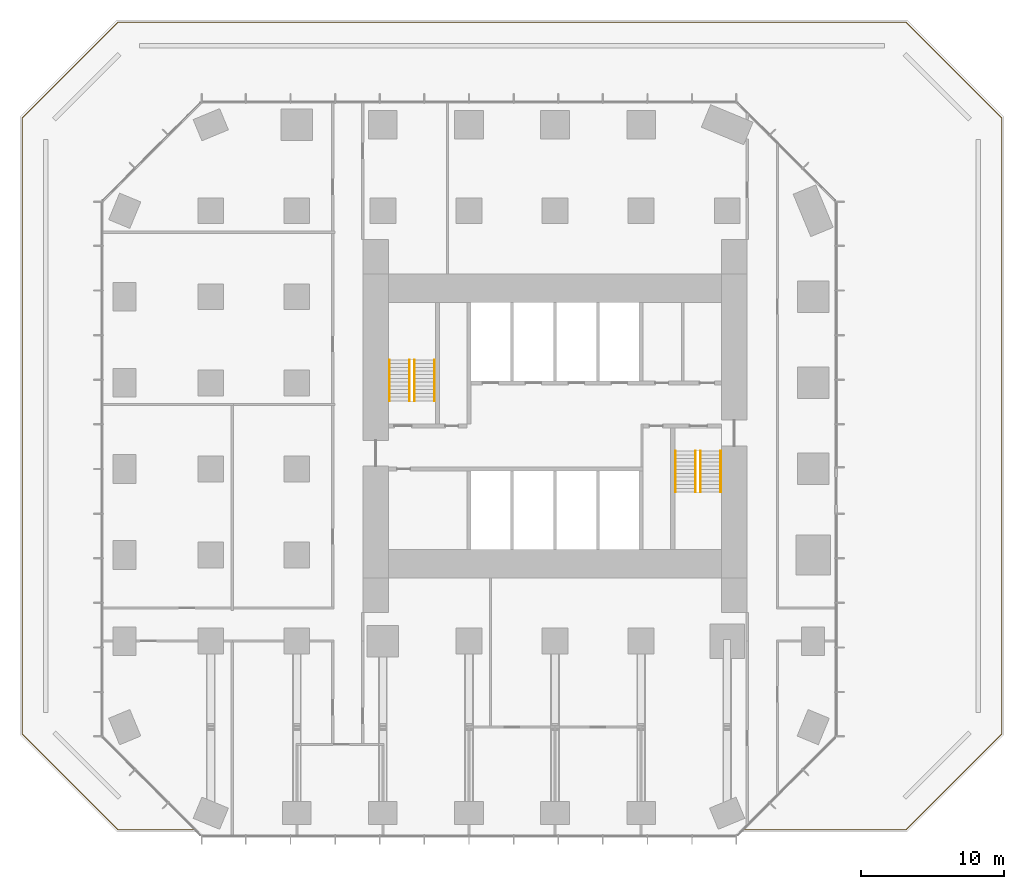
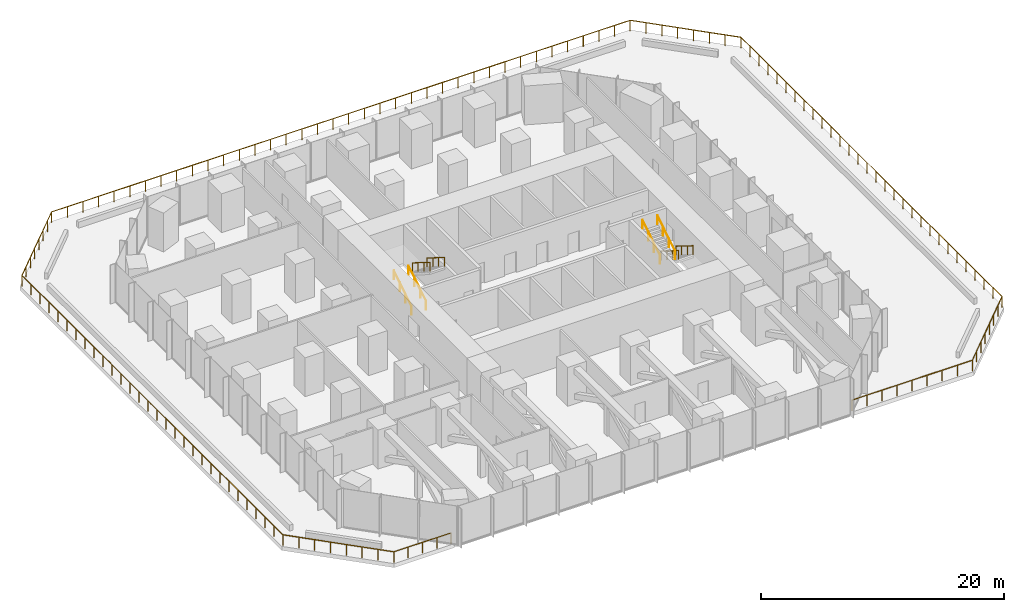
# One storey, part 11 of 11: 9 railings.
"""IFC4 building model written with IfcOpenShell, lengths in metres."""

from ifc_helpers import new_model, si_unit, direction, frame, origin, origin_2d, place, context, subcontext, project, spatial, circle, extrude, material, type_object, element, save


model = new_model("IFC4")

# Units and contexts
model_context = context("Model", 3, precision=1e-05, world=origin(), true_north=direction((0.0, 1.0)))
body_context = subcontext(model_context, "Body", "Model", "MODEL_VIEW")
ifc_project = project(units=[si_unit("LENGTHUNIT", "METRE"), si_unit("AREAUNIT", "SQUARE_METRE"), si_unit("VOLUMEUNIT", "CUBIC_METRE"), si_unit("PLANEANGLEUNIT", "RADIAN"), si_unit("MASSUNIT", "GRAM", prefix="KILO")], contexts=[model_context])

# Site, building, storey
site_placement = place(None, origin())
site = spatial("IfcSite", under=ifc_project, at=site_placement, CompositionType="ELEMENT")
building_placement = place(site_placement, origin())
building = spatial("IfcBuilding", under=site, at=building_placement, Name="Highveld Stack Headquarters", CompositionType="ELEMENT")
storey_placement = place(building_placement, frame((0.0, 0.0, 18.199951171875)))
storey = spatial("IfcBuildingStorey", under=building, at=storey_placement, Name="L03", CompositionType="ELEMENT", Elevation=18.199951171875)

# Railings
ifc_material_1 = material(Name="Stainless steel handrail", Category="steel")
railing_type_1 = type_object("IfcRailingType", Name="STAIR HANDRAIL HR1 900", PredefinedType="HANDRAIL", material=ifc_material_1)
for number, where, name in (
    (1, (-5.550048828125, 4.75, 0.16259765625), "Handrail S1 L03 flight 1"),
    (2, (-4.14990234375, 4.75, 0.16259765625), "Handrail S1 L03 flight 1"),
):
    element("IfcRailing", number, at=place(storey_placement, frame(where)), inside=storey, type_object=railing_type_1, Name=name, PredefinedType="HANDRAIL", context=body_context, shape_type="SweptSolid", body=[
        extrude(circle(Radius=0.02392578125, at=origin_2d()), frame((0.0, 0.0, 0.8759765625), z_axis=(0.0, 0.848026770018, 0.529953391661), x_axis=(-1.0, 0.0, 0.0)), (0.0, 0.0, 1.0), 3.37255859375),
        extrude(circle(Radius=0.02099609375, at=origin_2d()), origin(), (0.0, 0.0, 1.0), 0.851806640625),
        extrude(circle(Radius=0.02099609375, at=origin_2d()), frame((0.0, 0.953369140625, 0.595703125)), (0.0, 0.0, 1.0), 0.851806640625),
        extrude(circle(Radius=0.02099609375, at=origin_2d()), frame((0.0, 1.90673828125, 1.191650390625)), (0.0, 0.0, 1.0), 0.851806640625),
        extrude(circle(Radius=0.02099609375, at=origin_2d()), frame((0.0, 2.860107421875, 1.787353515625)), (0.0, 0.0, 1.0), 0.851806640625),
    ])
for number, where, name in (
    (3, (-3.800048828125, 7.610107421875, 2.112548828125), "Handrail S1 L03 flight 2"),
    (4, (-2.39990234375, 7.610107421875, 2.112548828125), "Handrail S1 L03 flight 2"),
):
    element("IfcRailing", number, at=place(storey_placement, frame(where)), inside=storey, type_object=railing_type_1, Name=name, PredefinedType="HANDRAIL", context=body_context, shape_type="SweptSolid", body=[
        extrude(circle(Radius=0.02392578125, at=origin_2d()), frame((0.0, 0.0, 0.8759765625), z_axis=(0.0, -0.847994237388, 0.530005446535), x_axis=(1.0, 0.0, 0.0)), (0.0, 0.0, 1.0), 3.372802734375),
        extrude(circle(Radius=0.02099609375, at=origin_2d()), origin(), (0.0, 0.0, 1.0), 0.851806640625),
        extrude(circle(Radius=0.02099609375, at=origin_2d()), frame((0.0, -0.953369140625, 0.595947265625)), (0.0, 0.0, 1.0), 0.851806640625),
        extrude(circle(Radius=0.02099609375, at=origin_2d()), frame((0.0, -1.90673828125, 1.191650390625)), (0.0, 0.0, 1.0), 0.851806640625),
        extrude(circle(Radius=0.02099609375, at=origin_2d()), frame((0.0, -2.860107421875, 1.78759765625)), (0.0, 0.0, 1.0), 0.851806640625),
    ])
for number, where, name in (
    (5, (16.14990234375, 1.25, 0.16259765625), "Handrail S2 L03 flight 1"),
    (6, (17.550048828125, 1.25, 0.16259765625), "Handrail S2 L03 flight 1"),
):
    element("IfcRailing", number, at=place(storey_placement, frame(where)), inside=storey, type_object=railing_type_1, Name=name, PredefinedType="HANDRAIL", context=body_context, shape_type="SweptSolid", body=[
        extrude(circle(Radius=0.02392578125, at=origin_2d()), frame((0.0, 0.0, 0.8759765625), z_axis=(0.0, -0.848026770018, 0.529953391661), x_axis=(1.0, 0.0, 0.0)), (0.0, 0.0, 1.0), 3.37255859375),
        extrude(circle(Radius=0.02099609375, at=origin_2d()), origin(), (0.0, 0.0, 1.0), 0.851806640625),
        extrude(circle(Radius=0.02099609375, at=origin_2d()), frame((0.0, -0.953369140625, 0.595703125)), (0.0, 0.0, 1.0), 0.851806640625),
        extrude(circle(Radius=0.02099609375, at=origin_2d()), frame((0.0, -1.90673828125, 1.191650390625)), (0.0, 0.0, 1.0), 0.851806640625),
        extrude(circle(Radius=0.02099609375, at=origin_2d()), frame((0.0, -2.860107421875, 1.787353515625)), (0.0, 0.0, 1.0), 0.851806640625),
    ])
for number, where, name in (
    (7, (14.39990234375, -1.610107421875, 2.112548828125), "Handrail S2 L03 flight 2"),
    (8, (15.800048828125, -1.610107421875, 2.112548828125), "Handrail S2 L03 flight 2"),
):
    element("IfcRailing", number, at=place(storey_placement, frame(where)), inside=storey, type_object=railing_type_1, Name=name, PredefinedType="HANDRAIL", context=body_context, shape_type="SweptSolid", body=[
        extrude(circle(Radius=0.02392578125, at=origin_2d()), frame((0.0, 0.0, 0.8759765625), z_axis=(0.0, 0.847994237388, 0.530005446535), x_axis=(-1.0, 0.0, 0.0)), (0.0, 0.0, 1.0), 3.372802734375),
        extrude(circle(Radius=0.02099609375, at=origin_2d()), origin(), (0.0, 0.0, 1.0), 0.851806640625),
        extrude(circle(Radius=0.02099609375, at=origin_2d()), frame((0.0, 0.953369140625, 0.595947265625)), (0.0, 0.0, 1.0), 0.851806640625),
        extrude(circle(Radius=0.02099609375, at=origin_2d()), frame((0.0, 1.90673828125, 1.191650390625)), (0.0, 0.0, 1.0), 0.851806640625),
        extrude(circle(Radius=0.02099609375, at=origin_2d()), frame((0.0, 2.860107421875, 1.78759765625)), (0.0, 0.0, 1.0), 0.851806640625),
    ])
ifc_material_2 = material(Name="Laminated glass balustrade with bronze handrail", Category="glass")
railing_type_2 = type_object("IfcRailingType", Name="TERRACE GUARD GR1 1100 GLASS", PredefinedType="GUARDRAIL", material=ifc_material_2)
railing_placement = place(storey_placement, frame((-19.033447265625, -25.14990234375, 0.0)))
element("IfcRailing", 9, at=railing_placement, inside=storey, type_object=railing_type_2, Name="Terrace guard L03 1", PredefinedType="GUARDRAIL", context=body_context, shape_type="SweptSolid", body=[
    extrude(circle(Radius=0.02392578125, at=origin_2d()), frame((0.0, 0.0, 1.076171875), z_axis=(-1.0, 0.0, 0.0), x_axis=(0.0, -1.0, 0.0)), (0.0, 0.0, 1.0), 5.44287109375),
    extrude(circle(Radius=0.02392578125, at=origin_2d()), frame((-5.44287109375, 0.0, 1.076171875), z_axis=(-0.707106781187, 0.707106781187, 0.0), x_axis=(-0.707106781187, -0.707106781187, 0.0)), (0.0, 0.0, 1.0), 9.43798828125),
    extrude(circle(Radius=0.02392578125, at=origin_2d()), frame((-12.116455078125, 6.673583984375, 1.076171875), z_axis=(0.0, 1.0, 0.0), x_axis=(-1.0, 0.0, 0.0)), (0.0, 0.0, 1.0), 42.95263671875),
    extrude(circle(Radius=0.02392578125, at=origin_2d()), frame((-12.116455078125, 49.626220703125, 1.076171875), z_axis=(0.707106781187, 0.707106781187, 0.0), x_axis=(-0.707106781187, 0.707106781187, 0.0)), (0.0, 0.0, 1.0), 9.43798828125),
    extrude(circle(Radius=0.02392578125, at=origin_2d()), frame((-5.44287109375, 56.2998046875, 1.076171875), z_axis=(1.0, 0.0, 0.0), x_axis=(0.0, 1.0, 0.0)), (0.0, 0.0, 1.0), 54.95263671875),
    extrude(circle(Radius=0.02392578125, at=origin_2d()), frame((49.509765625, 56.2998046875, 1.076171875), z_axis=(0.707106781187, -0.707106781187, 0.0), x_axis=(0.707106781187, 0.707106781187, 0.0)), (0.0, 0.0, 1.0), 9.43798828125),
    extrude(circle(Radius=0.02392578125, at=origin_2d()), frame((56.183349609375, 49.626220703125, 1.076171875), z_axis=(0.0, -1.0, 0.0), x_axis=(1.0, 0.0, 0.0)), (0.0, 0.0, 1.0), 42.95263671875),
    extrude(circle(Radius=0.02392578125, at=origin_2d()), frame((56.183349609375, 6.673583984375, 1.076171875), z_axis=(-0.707106781187, -0.707106781187, 0.0), x_axis=(0.707106781187, -0.707106781187, 0.0)), (0.0, 0.0, 1.0), 9.43798828125),
    extrude(circle(Radius=0.02392578125, at=origin_2d()), frame((49.509765625, 0.0, 1.076171875), z_axis=(-1.0, 0.0, 0.0), x_axis=(0.0, -1.0, 0.0)), (0.0, 0.0, 1.0), 11.44287109375),
    extrude(circle(Radius=0.02099609375, at=origin_2d()), origin(), (0.0, 0.0, 1.0), 1.052001953125),
    extrude(circle(Radius=0.02099609375, at=origin_2d()), frame((-1.36083984375, 0.0, 0.0)), (0.0, 0.0, 1.0), 1.052001953125),
    extrude(circle(Radius=0.02099609375, at=origin_2d()), frame((-2.721435546875, 0.0, 0.0)), (0.0, 0.0, 1.0), 1.052001953125),
    extrude(circle(Radius=0.02099609375, at=origin_2d()), frame((-4.08203125, 0.0, 0.0)), (0.0, 0.0, 1.0), 1.052001953125),
    extrude(circle(Radius=0.02099609375, at=origin_2d()), frame((-5.44287109375, 0.0, 0.0)), (0.0, 0.0, 1.0), 1.052001953125),
    extrude(circle(Radius=0.02099609375, at=origin_2d()), frame((-6.396240234375, 0.953369140625, 0.0)), (0.0, 0.0, 1.0), 1.052001953125),
    extrude(circle(Radius=0.02099609375, at=origin_2d()), frame((-7.349609375, 1.90673828125, 0.0)), (0.0, 0.0, 1.0), 1.052001953125),
    extrude(circle(Radius=0.02099609375, at=origin_2d()), frame((-8.302978515625, 2.860107421875, 0.0)), (0.0, 0.0, 1.0), 1.052001953125),
    extrude(circle(Radius=0.02099609375, at=origin_2d()), frame((-9.25634765625, 3.8134765625, 0.0)), (0.0, 0.0, 1.0), 1.052001953125),
    extrude(circle(Radius=0.02099609375, at=origin_2d()), frame((-10.209716796875, 4.766845703125, 0.0)), (0.0, 0.0, 1.0), 1.052001953125),
    extrude(circle(Radius=0.02099609375, at=origin_2d()), frame((-11.1630859375, 5.72021484375, 0.0)), (0.0, 0.0, 1.0), 1.052001953125),
    extrude(circle(Radius=0.02099609375, at=origin_2d()), frame((-12.116455078125, 6.673583984375, 0.0)), (0.0, 0.0, 1.0), 1.052001953125),
    extrude(circle(Radius=0.02099609375, at=origin_2d()), frame((-12.116455078125, 8.15478515625, 0.0)), (0.0, 0.0, 1.0), 1.052001953125),
    extrude(circle(Radius=0.02099609375, at=origin_2d()), frame((-12.116455078125, 9.6357421875, 0.0)), (0.0, 0.0, 1.0), 1.052001953125),
    extrude(circle(Radius=0.02099609375, at=origin_2d()), frame((-12.116455078125, 11.116943359375, 0.0)), (0.0, 0.0, 1.0), 1.052001953125),
    extrude(circle(Radius=0.02099609375, at=origin_2d()), frame((-12.116455078125, 12.59814453125, 0.0)), (0.0, 0.0, 1.0), 1.052001953125),
    extrude(circle(Radius=0.02099609375, at=origin_2d()), frame((-12.116455078125, 14.0791015625, 0.0)), (0.0, 0.0, 1.0), 1.052001953125),
    extrude(circle(Radius=0.02099609375, at=origin_2d()), frame((-12.116455078125, 15.560302734375, 0.0)), (0.0, 0.0, 1.0), 1.052001953125),
    extrude(circle(Radius=0.02099609375, at=origin_2d()), frame((-12.116455078125, 17.04150390625, 0.0)), (0.0, 0.0, 1.0), 1.052001953125),
    extrude(circle(Radius=0.02099609375, at=origin_2d()), frame((-12.116455078125, 18.522705078125, 0.0)), (0.0, 0.0, 1.0), 1.052001953125),
    extrude(circle(Radius=0.02099609375, at=origin_2d()), frame((-12.116455078125, 20.003662109375, 0.0)), (0.0, 0.0, 1.0), 1.052001953125),
    extrude(circle(Radius=0.02099609375, at=origin_2d()), frame((-12.116455078125, 21.48486328125, 0.0)), (0.0, 0.0, 1.0), 1.052001953125),
    extrude(circle(Radius=0.02099609375, at=origin_2d()), frame((-12.116455078125, 22.966064453125, 0.0)), (0.0, 0.0, 1.0), 1.052001953125),
    extrude(circle(Radius=0.02099609375, at=origin_2d()), frame((-12.116455078125, 24.447021484375, 0.0)), (0.0, 0.0, 1.0), 1.052001953125),
    extrude(circle(Radius=0.02099609375, at=origin_2d()), frame((-12.116455078125, 25.92822265625, 0.0)), (0.0, 0.0, 1.0), 1.052001953125),
    extrude(circle(Radius=0.02099609375, at=origin_2d()), frame((-12.116455078125, 27.409423828125, 0.0)), (0.0, 0.0, 1.0), 1.052001953125),
    extrude(circle(Radius=0.02099609375, at=origin_2d()), frame((-12.116455078125, 28.890380859375, 0.0)), (0.0, 0.0, 1.0), 1.052001953125),
    extrude(circle(Radius=0.02099609375, at=origin_2d()), frame((-12.116455078125, 30.37158203125, 0.0)), (0.0, 0.0, 1.0), 1.052001953125),
    extrude(circle(Radius=0.02099609375, at=origin_2d()), frame((-12.116455078125, 31.852783203125, 0.0)), (0.0, 0.0, 1.0), 1.052001953125),
    extrude(circle(Radius=0.02099609375, at=origin_2d()), frame((-12.116455078125, 33.333740234375, 0.0)), (0.0, 0.0, 1.0), 1.052001953125),
    extrude(circle(Radius=0.02099609375, at=origin_2d()), frame((-12.116455078125, 34.81494140625, 0.0)), (0.0, 0.0, 1.0), 1.052001953125),
    extrude(circle(Radius=0.02099609375, at=origin_2d()), frame((-12.116455078125, 36.296142578125, 0.0)), (0.0, 0.0, 1.0), 1.052001953125),
    extrude(circle(Radius=0.02099609375, at=origin_2d()), frame((-12.116455078125, 37.777099609375, 0.0)), (0.0, 0.0, 1.0), 1.052001953125),
    extrude(circle(Radius=0.02099609375, at=origin_2d()), frame((-12.116455078125, 39.25830078125, 0.0)), (0.0, 0.0, 1.0), 1.052001953125),
    extrude(circle(Radius=0.02099609375, at=origin_2d()), frame((-12.116455078125, 40.739501953125, 0.0)), (0.0, 0.0, 1.0), 1.052001953125),
    extrude(circle(Radius=0.02099609375, at=origin_2d()), frame((-12.116455078125, 42.220703125, 0.0)), (0.0, 0.0, 1.0), 1.052001953125),
    extrude(circle(Radius=0.02099609375, at=origin_2d()), frame((-12.116455078125, 43.70166015625, 0.0)), (0.0, 0.0, 1.0), 1.052001953125),
    extrude(circle(Radius=0.02099609375, at=origin_2d()), frame((-12.116455078125, 45.182861328125, 0.0)), (0.0, 0.0, 1.0), 1.052001953125),
    extrude(circle(Radius=0.02099609375, at=origin_2d()), frame((-12.116455078125, 46.6640625, 0.0)), (0.0, 0.0, 1.0), 1.052001953125),
    extrude(circle(Radius=0.02099609375, at=origin_2d()), frame((-12.116455078125, 48.14501953125, 0.0)), (0.0, 0.0, 1.0), 1.052001953125),
    extrude(circle(Radius=0.02099609375, at=origin_2d()), frame((-12.116455078125, 49.626220703125, 0.0)), (0.0, 0.0, 1.0), 1.052001953125),
    extrude(circle(Radius=0.02099609375, at=origin_2d()), frame((-11.1630859375, 50.57958984375, 0.0)), (0.0, 0.0, 1.0), 1.052001953125),
    extrude(circle(Radius=0.02099609375, at=origin_2d()), frame((-10.209716796875, 51.532958984375, 0.0)), (0.0, 0.0, 1.0), 1.052001953125),
    extrude(circle(Radius=0.02099609375, at=origin_2d()), frame((-9.25634765625, 52.486328125, 0.0)), (0.0, 0.0, 1.0), 1.052001953125),
    extrude(circle(Radius=0.02099609375, at=origin_2d()), frame((-8.302978515625, 53.439697265625, 0.0)), (0.0, 0.0, 1.0), 1.052001953125),
    extrude(circle(Radius=0.02099609375, at=origin_2d()), frame((-7.349609375, 54.39306640625, 0.0)), (0.0, 0.0, 1.0), 1.052001953125),
    extrude(circle(Radius=0.02099609375, at=origin_2d()), frame((-6.396240234375, 55.346435546875, 0.0)), (0.0, 0.0, 1.0), 1.052001953125),
    extrude(circle(Radius=0.02099609375, at=origin_2d()), frame((-5.44287109375, 56.2998046875, 0.0)), (0.0, 0.0, 1.0), 1.052001953125),
    extrude(circle(Radius=0.02099609375, at=origin_2d()), frame((-3.957763671875, 56.2998046875, 0.0)), (0.0, 0.0, 1.0), 1.052001953125),
    extrude(circle(Radius=0.02099609375, at=origin_2d()), frame((-2.472412109375, 56.2998046875, 0.0)), (0.0, 0.0, 1.0), 1.052001953125),
    extrude(circle(Radius=0.02099609375, at=origin_2d()), frame((-0.9873046875, 56.2998046875, 0.0)), (0.0, 0.0, 1.0), 1.052001953125),
    extrude(circle(Radius=0.02099609375, at=origin_2d()), frame((0.498046875, 56.2998046875, 0.0)), (0.0, 0.0, 1.0), 1.052001953125),
    extrude(circle(Radius=0.02099609375, at=origin_2d()), frame((1.983154296875, 56.2998046875, 0.0)), (0.0, 0.0, 1.0), 1.052001953125),
    extrude(circle(Radius=0.02099609375, at=origin_2d()), frame((3.46826171875, 56.2998046875, 0.0)), (0.0, 0.0, 1.0), 1.052001953125),
    extrude(circle(Radius=0.02099609375, at=origin_2d()), frame((4.95361328125, 56.2998046875, 0.0)), (0.0, 0.0, 1.0), 1.052001953125),
    extrude(circle(Radius=0.02099609375, at=origin_2d()), frame((6.438720703125, 56.2998046875, 0.0)), (0.0, 0.0, 1.0), 1.052001953125),
    extrude(circle(Radius=0.02099609375, at=origin_2d()), frame((7.924072265625, 56.2998046875, 0.0)), (0.0, 0.0, 1.0), 1.052001953125),
    extrude(circle(Radius=0.02099609375, at=origin_2d()), frame((9.4091796875, 56.2998046875, 0.0)), (0.0, 0.0, 1.0), 1.052001953125),
    extrude(circle(Radius=0.02099609375, at=origin_2d()), frame((10.894287109375, 56.2998046875, 0.0)), (0.0, 0.0, 1.0), 1.052001953125),
    extrude(circle(Radius=0.02099609375, at=origin_2d()), frame((12.379638671875, 56.2998046875, 0.0)), (0.0, 0.0, 1.0), 1.052001953125),
    extrude(circle(Radius=0.02099609375, at=origin_2d()), frame((13.86474609375, 56.2998046875, 0.0)), (0.0, 0.0, 1.0), 1.052001953125),
    extrude(circle(Radius=0.02099609375, at=origin_2d()), frame((15.35009765625, 56.2998046875, 0.0)), (0.0, 0.0, 1.0), 1.052001953125),
    extrude(circle(Radius=0.02099609375, at=origin_2d()), frame((16.835205078125, 56.2998046875, 0.0)), (0.0, 0.0, 1.0), 1.052001953125),
    extrude(circle(Radius=0.02099609375, at=origin_2d()), frame((18.3203125, 56.2998046875, 0.0)), (0.0, 0.0, 1.0), 1.052001953125),
    extrude(circle(Radius=0.02099609375, at=origin_2d()), frame((19.8056640625, 56.2998046875, 0.0)), (0.0, 0.0, 1.0), 1.052001953125),
    extrude(circle(Radius=0.02099609375, at=origin_2d()), frame((21.290771484375, 56.2998046875, 0.0)), (0.0, 0.0, 1.0), 1.052001953125),
    extrude(circle(Radius=0.02099609375, at=origin_2d()), frame((22.776123046875, 56.2998046875, 0.0)), (0.0, 0.0, 1.0), 1.052001953125),
    extrude(circle(Radius=0.02099609375, at=origin_2d()), frame((24.26123046875, 56.2998046875, 0.0)), (0.0, 0.0, 1.0), 1.052001953125),
    extrude(circle(Radius=0.02099609375, at=origin_2d()), frame((25.74658203125, 56.2998046875, 0.0)), (0.0, 0.0, 1.0), 1.052001953125),
    extrude(circle(Radius=0.02099609375, at=origin_2d()), frame((27.231689453125, 56.2998046875, 0.0)), (0.0, 0.0, 1.0), 1.052001953125),
    extrude(circle(Radius=0.02099609375, at=origin_2d()), frame((28.716796875, 56.2998046875, 0.0)), (0.0, 0.0, 1.0), 1.052001953125),
    extrude(circle(Radius=0.02099609375, at=origin_2d()), frame((30.2021484375, 56.2998046875, 0.0)), (0.0, 0.0, 1.0), 1.052001953125),
    extrude(circle(Radius=0.02099609375, at=origin_2d()), frame((31.687255859375, 56.2998046875, 0.0)), (0.0, 0.0, 1.0), 1.052001953125),
    extrude(circle(Radius=0.02099609375, at=origin_2d()), frame((33.172607421875, 56.2998046875, 0.0)), (0.0, 0.0, 1.0), 1.052001953125),
    extrude(circle(Radius=0.02099609375, at=origin_2d()), frame((34.65771484375, 56.2998046875, 0.0)), (0.0, 0.0, 1.0), 1.052001953125),
    extrude(circle(Radius=0.02099609375, at=origin_2d()), frame((36.142822265625, 56.2998046875, 0.0)), (0.0, 0.0, 1.0), 1.052001953125),
    extrude(circle(Radius=0.02099609375, at=origin_2d()), frame((37.628173828125, 56.2998046875, 0.0)), (0.0, 0.0, 1.0), 1.052001953125),
    extrude(circle(Radius=0.02099609375, at=origin_2d()), frame((39.11328125, 56.2998046875, 0.0)), (0.0, 0.0, 1.0), 1.052001953125),
    extrude(circle(Radius=0.02099609375, at=origin_2d()), frame((40.5986328125, 56.2998046875, 0.0)), (0.0, 0.0, 1.0), 1.052001953125),
    extrude(circle(Radius=0.02099609375, at=origin_2d()), frame((42.083740234375, 56.2998046875, 0.0)), (0.0, 0.0, 1.0), 1.052001953125),
    extrude(circle(Radius=0.02099609375, at=origin_2d()), frame((43.56884765625, 56.2998046875, 0.0)), (0.0, 0.0, 1.0), 1.052001953125),
    extrude(circle(Radius=0.02099609375, at=origin_2d()), frame((45.05419921875, 56.2998046875, 0.0)), (0.0, 0.0, 1.0), 1.052001953125),
    extrude(circle(Radius=0.02099609375, at=origin_2d()), frame((46.539306640625, 56.2998046875, 0.0)), (0.0, 0.0, 1.0), 1.052001953125),
    extrude(circle(Radius=0.02099609375, at=origin_2d()), frame((48.024658203125, 56.2998046875, 0.0)), (0.0, 0.0, 1.0), 1.052001953125),
    extrude(circle(Radius=0.02099609375, at=origin_2d()), frame((49.509765625, 56.2998046875, 0.0)), (0.0, 0.0, 1.0), 1.052001953125),
    extrude(circle(Radius=0.02099609375, at=origin_2d()), frame((50.463134765625, 55.346435546875, 0.0)), (0.0, 0.0, 1.0), 1.052001953125),
    extrude(circle(Radius=0.02099609375, at=origin_2d()), frame((51.41650390625, 54.39306640625, 0.0)), (0.0, 0.0, 1.0), 1.052001953125),
    extrude(circle(Radius=0.02099609375, at=origin_2d()), frame((52.369873046875, 53.439697265625, 0.0)), (0.0, 0.0, 1.0), 1.052001953125),
    extrude(circle(Radius=0.02099609375, at=origin_2d()), frame((53.3232421875, 52.486328125, 0.0)), (0.0, 0.0, 1.0), 1.052001953125),
    extrude(circle(Radius=0.02099609375, at=origin_2d()), frame((54.276611328125, 51.532958984375, 0.0)), (0.0, 0.0, 1.0), 1.052001953125),
    extrude(circle(Radius=0.02099609375, at=origin_2d()), frame((55.22998046875, 50.57958984375, 0.0)), (0.0, 0.0, 1.0), 1.052001953125),
    extrude(circle(Radius=0.02099609375, at=origin_2d()), frame((56.183349609375, 49.626220703125, 0.0)), (0.0, 0.0, 1.0), 1.052001953125),
    extrude(circle(Radius=0.02099609375, at=origin_2d()), frame((56.183349609375, 48.14501953125, 0.0)), (0.0, 0.0, 1.0), 1.052001953125),
    extrude(circle(Radius=0.02099609375, at=origin_2d()), frame((56.183349609375, 46.6640625, 0.0)), (0.0, 0.0, 1.0), 1.052001953125),
    extrude(circle(Radius=0.02099609375, at=origin_2d()), frame((56.183349609375, 45.182861328125, 0.0)), (0.0, 0.0, 1.0), 1.052001953125),
    extrude(circle(Radius=0.02099609375, at=origin_2d()), frame((56.183349609375, 43.70166015625, 0.0)), (0.0, 0.0, 1.0), 1.052001953125),
    extrude(circle(Radius=0.02099609375, at=origin_2d()), frame((56.183349609375, 42.220703125, 0.0)), (0.0, 0.0, 1.0), 1.052001953125),
    extrude(circle(Radius=0.02099609375, at=origin_2d()), frame((56.183349609375, 40.739501953125, 0.0)), (0.0, 0.0, 1.0), 1.052001953125),
    extrude(circle(Radius=0.02099609375, at=origin_2d()), frame((56.183349609375, 39.25830078125, 0.0)), (0.0, 0.0, 1.0), 1.052001953125),
    extrude(circle(Radius=0.02099609375, at=origin_2d()), frame((56.183349609375, 37.777099609375, 0.0)), (0.0, 0.0, 1.0), 1.052001953125),
    extrude(circle(Radius=0.02099609375, at=origin_2d()), frame((56.183349609375, 36.296142578125, 0.0)), (0.0, 0.0, 1.0), 1.052001953125),
    extrude(circle(Radius=0.02099609375, at=origin_2d()), frame((56.183349609375, 34.81494140625, 0.0)), (0.0, 0.0, 1.0), 1.052001953125),
    extrude(circle(Radius=0.02099609375, at=origin_2d()), frame((56.183349609375, 33.333740234375, 0.0)), (0.0, 0.0, 1.0), 1.052001953125),
    extrude(circle(Radius=0.02099609375, at=origin_2d()), frame((56.183349609375, 31.852783203125, 0.0)), (0.0, 0.0, 1.0), 1.052001953125),
    extrude(circle(Radius=0.02099609375, at=origin_2d()), frame((56.183349609375, 30.37158203125, 0.0)), (0.0, 0.0, 1.0), 1.052001953125),
    extrude(circle(Radius=0.02099609375, at=origin_2d()), frame((56.183349609375, 28.890380859375, 0.0)), (0.0, 0.0, 1.0), 1.052001953125),
    extrude(circle(Radius=0.02099609375, at=origin_2d()), frame((56.183349609375, 27.409423828125, 0.0)), (0.0, 0.0, 1.0), 1.052001953125),
    extrude(circle(Radius=0.02099609375, at=origin_2d()), frame((56.183349609375, 25.92822265625, 0.0)), (0.0, 0.0, 1.0), 1.052001953125),
    extrude(circle(Radius=0.02099609375, at=origin_2d()), frame((56.183349609375, 24.447021484375, 0.0)), (0.0, 0.0, 1.0), 1.052001953125),
    extrude(circle(Radius=0.02099609375, at=origin_2d()), frame((56.183349609375, 22.966064453125, 0.0)), (0.0, 0.0, 1.0), 1.052001953125),
    extrude(circle(Radius=0.02099609375, at=origin_2d()), frame((56.183349609375, 21.48486328125, 0.0)), (0.0, 0.0, 1.0), 1.052001953125),
    extrude(circle(Radius=0.02099609375, at=origin_2d()), frame((56.183349609375, 20.003662109375, 0.0)), (0.0, 0.0, 1.0), 1.052001953125),
    extrude(circle(Radius=0.02099609375, at=origin_2d()), frame((56.183349609375, 18.522705078125, 0.0)), (0.0, 0.0, 1.0), 1.052001953125),
    extrude(circle(Radius=0.02099609375, at=origin_2d()), frame((56.183349609375, 17.04150390625, 0.0)), (0.0, 0.0, 1.0), 1.052001953125),
    extrude(circle(Radius=0.02099609375, at=origin_2d()), frame((56.183349609375, 15.560302734375, 0.0)), (0.0, 0.0, 1.0), 1.052001953125),
    extrude(circle(Radius=0.02099609375, at=origin_2d()), frame((56.183349609375, 14.0791015625, 0.0)), (0.0, 0.0, 1.0), 1.052001953125),
    extrude(circle(Radius=0.02099609375, at=origin_2d()), frame((56.183349609375, 12.59814453125, 0.0)), (0.0, 0.0, 1.0), 1.052001953125),
    extrude(circle(Radius=0.02099609375, at=origin_2d()), frame((56.183349609375, 11.116943359375, 0.0)), (0.0, 0.0, 1.0), 1.052001953125),
    extrude(circle(Radius=0.02099609375, at=origin_2d()), frame((56.183349609375, 9.6357421875, 0.0)), (0.0, 0.0, 1.0), 1.052001953125),
    extrude(circle(Radius=0.02099609375, at=origin_2d()), frame((56.183349609375, 8.15478515625, 0.0)), (0.0, 0.0, 1.0), 1.052001953125),
    extrude(circle(Radius=0.02099609375, at=origin_2d()), frame((56.183349609375, 6.673583984375, 0.0)), (0.0, 0.0, 1.0), 1.052001953125),
    extrude(circle(Radius=0.02099609375, at=origin_2d()), frame((55.22998046875, 5.72021484375, 0.0)), (0.0, 0.0, 1.0), 1.052001953125),
    extrude(circle(Radius=0.02099609375, at=origin_2d()), frame((54.276611328125, 4.766845703125, 0.0)), (0.0, 0.0, 1.0), 1.052001953125),
    extrude(circle(Radius=0.02099609375, at=origin_2d()), frame((53.3232421875, 3.8134765625, 0.0)), (0.0, 0.0, 1.0), 1.052001953125),
    extrude(circle(Radius=0.02099609375, at=origin_2d()), frame((52.369873046875, 2.860107421875, 0.0)), (0.0, 0.0, 1.0), 1.052001953125),
    extrude(circle(Radius=0.02099609375, at=origin_2d()), frame((51.41650390625, 1.90673828125, 0.0)), (0.0, 0.0, 1.0), 1.052001953125),
    extrude(circle(Radius=0.02099609375, at=origin_2d()), frame((50.463134765625, 0.953369140625, 0.0)), (0.0, 0.0, 1.0), 1.052001953125),
    extrude(circle(Radius=0.02099609375, at=origin_2d()), frame((49.509765625, 0.0, 0.0)), (0.0, 0.0, 1.0), 1.052001953125),
    extrude(circle(Radius=0.02099609375, at=origin_2d()), frame((48.079345703125, 0.0, 0.0)), (0.0, 0.0, 1.0), 1.052001953125),
    extrude(circle(Radius=0.02099609375, at=origin_2d()), frame((46.64892578125, 0.0, 0.0)), (0.0, 0.0, 1.0), 1.052001953125),
    extrude(circle(Radius=0.02099609375, at=origin_2d()), frame((45.21875, 0.0, 0.0)), (0.0, 0.0, 1.0), 1.052001953125),
    extrude(circle(Radius=0.02099609375, at=origin_2d()), frame((43.788330078125, 0.0, 0.0)), (0.0, 0.0, 1.0), 1.052001953125),
    extrude(circle(Radius=0.02099609375, at=origin_2d()), frame((42.35791015625, 0.0, 0.0)), (0.0, 0.0, 1.0), 1.052001953125),
    extrude(circle(Radius=0.02099609375, at=origin_2d()), frame((40.927734375, 0.0, 0.0)), (0.0, 0.0, 1.0), 1.052001953125),
    extrude(circle(Radius=0.02099609375, at=origin_2d()), frame((39.497314453125, 0.0, 0.0)), (0.0, 0.0, 1.0), 1.052001953125),
    extrude(circle(Radius=0.02099609375, at=origin_2d()), frame((38.06689453125, 0.0, 0.0)), (0.0, 0.0, 1.0), 1.052001953125),
])

save(model, "model.ifc")
